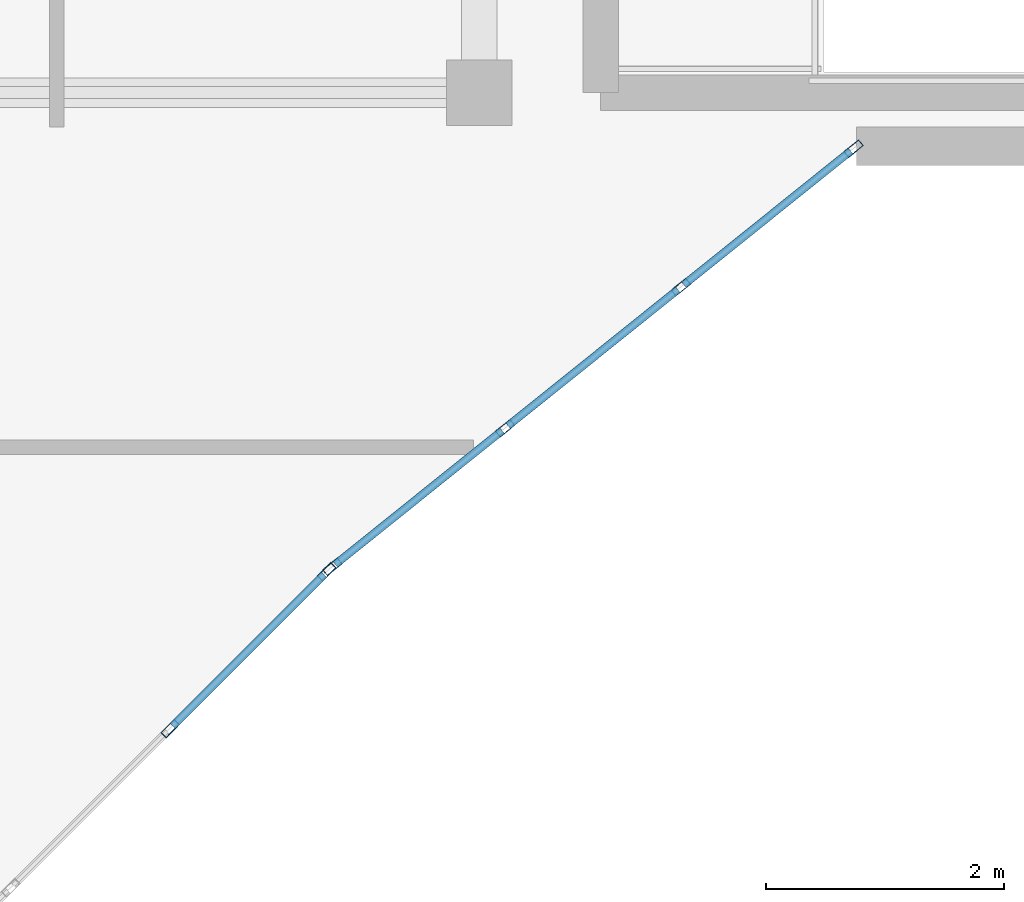
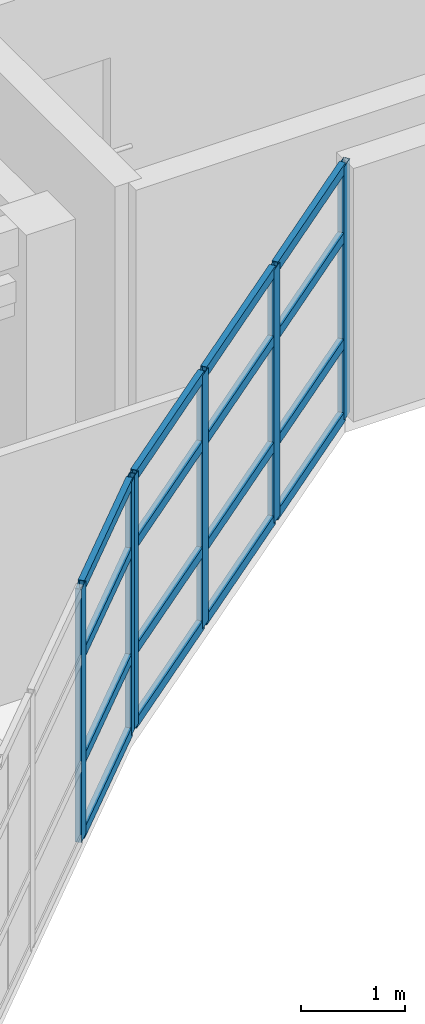
# One storey, part 6 of 49: 22 members, 2 elements without a shape of their own.
"""IFC4 building model written with IfcOpenShell, lengths in metres."""

from ifc_helpers import new_model, si_unit, direction, frame, origin, origin_2d, place, context, subcontext, project, spatial, hollow_rectangle, extrude, material, layer, layer_set, material_profile, profile_set, type_object, element, aggregate, save


model = new_model("IFC4")

# Units and contexts
model_context = context("Model", 3, precision=1e-05, world=origin(), true_north=direction((0.0, 1.0)))
body_context = subcontext(model_context, "Body", "Model", "MODEL_VIEW")
ifc_project = project(units=[si_unit("LENGTHUNIT", "METRE"), si_unit("AREAUNIT", "SQUARE_METRE"), si_unit("VOLUMEUNIT", "CUBIC_METRE"), si_unit("PLANEANGLEUNIT", "RADIAN"), si_unit("MASSUNIT", "GRAM", prefix="KILO")], contexts=[model_context])

# Site, building, storey
site_placement = place(None, origin())
site = spatial("IfcSite", under=ifc_project, at=site_placement, CompositionType="ELEMENT")
building_placement = place(site_placement, origin())
building = spatial("IfcBuilding", under=site, at=building_placement, Name="Keldmere Railside Commons", CompositionType="ELEMENT")
storey_placement = place(building_placement, frame((0.0, 0.0, 29.760009765625)))
storey = spatial("IfcBuildingStorey", under=building, at=storey_placement, Name="L09", CompositionType="ELEMENT", Elevation=29.760009765625)

# Curtain wall, members
ifc_material = material(Name="Thermally Broken Aluminium", Category="aluminium")
ifc_layer_1 = layer(ifc_material, 0.159912109375, Name="Court Chord Wintergarden CW 5400x2850")
ifc_layer_set_1 = layer_set([ifc_layer_1], Name="Thermally Broken Aluminium")
curtain_wall_type_1 = type_object("IfcCurtainWallType", Name="Court Chord Wintergarden CW 5400x2850", PredefinedType="NOTDEFINED", material=ifc_layer_set_1)
curtain_wall_1_placement = place(storey_placement, origin())
curtain_wall_1 = element("IfcCurtainWall", 1, at=curtain_wall_1_placement, inside=storey, type_object=curtain_wall_type_1, Name="CW-13 CW-L09-080", PredefinedType="NOTDEFINED")
ifc_material_profile_1 = material_profile(ifc_material, hollow_rectangle(XDim=0.06494140625, YDim=0.159912109375, WallThickness=0.00390625, at=origin_2d()), Name="ALU-MULL-65x160")
ifc_profile_set_1 = profile_set([ifc_material_profile_1], Name="Thermally Broken Aluminium")
member_type_1 = type_object("IfcMemberType", Name="Unitised Curtain Wall Mullion 65x160", PredefinedType="MULLION", material=ifc_profile_set_1)
member_1_placement = place(storey_placement, frame((71.547119140625, 96.423095703125, 0.0), z_axis=(0.0, 0.0, 1.0), x_axis=(0.707106781187, -0.707106781187, 0.0)))
member_1 = element("IfcMember", 2, at=member_1_placement, type_object=member_type_1, Name="CW-13 mullion 1", PredefinedType="MULLION", context=body_context, shape_type="SweptSolid", body=[
    extrude(hollow_rectangle(XDim=0.06494140625, YDim=0.159912109375, WallThickness=0.00390625, at=origin_2d()), origin(), (0.0, 0.0, 1.0), 2.97998046875),
])
member_2_placement = place(storey_placement, frame((70.2314453125, 95.107421875, 0.0), z_axis=(0.0, 0.0, 1.0), x_axis=(0.707106781187, -0.707106781187, 0.0)))
member_2 = element("IfcMember", 3, at=member_2_placement, type_object=member_type_1, Name="CW-13 mullion 2", PredefinedType="MULLION", context=body_context, shape_type="SweptSolid", body=[
    extrude(hollow_rectangle(XDim=0.06494140625, YDim=0.159912109375, WallThickness=0.00390625, at=origin_2d()), origin(), (0.0, 0.0, 1.0), 2.97998046875),
])

ifc_layer_2 = layer(ifc_material, 0.159912109375, Name="Court Chord Wintergarden CW 4800x2850")
ifc_layer_set_2 = layer_set([ifc_layer_2], Name="Thermally Broken Aluminium")
curtain_wall_type_2 = type_object("IfcCurtainWallType", Name="Court Chord Wintergarden CW 4800x2850", PredefinedType="NOTDEFINED", material=ifc_layer_set_2)
curtain_wall_2_placement = place(storey_placement, origin())
curtain_wall_2 = element("IfcCurtainWall", 4, at=curtain_wall_2_placement, inside=storey, type_object=curtain_wall_type_2, Name="CW-12 CW-L09-081", PredefinedType="NOTDEFINED")
member_3_placement = place(storey_placement, frame((75.974609375, 99.979736328125, 0.0), z_axis=(0.0, 0.0, 1.0), x_axis=(0.625768080915, -0.780009172323, 0.0)))
member_3 = element("IfcMember", 5, at=member_3_placement, type_object=member_type_1, Name="CW-12 mullion 1", PredefinedType="MULLION", context=body_context, shape_type="SweptSolid", body=[
    extrude(hollow_rectangle(XDim=0.06494140625, YDim=0.159912109375, WallThickness=0.00390625, at=origin_2d()), origin(), (0.0, 0.0, 1.0), 2.97998046875),
])
member_4_placement = place(storey_placement, frame((74.5234375, 98.8154296875, 0.0), z_axis=(0.0, 0.0, 1.0), x_axis=(0.625768080915, -0.780009172323, 0.0)))
member_4 = element("IfcMember", 6, at=member_4_placement, type_object=member_type_1, Name="CW-12 mullion 2", PredefinedType="MULLION", context=body_context, shape_type="SweptSolid", body=[
    extrude(hollow_rectangle(XDim=0.06494140625, YDim=0.159912109375, WallThickness=0.00390625, at=origin_2d()), origin(), (0.0, 0.0, 1.0), 2.97998046875),
])
member_5_placement = place(storey_placement, frame((73.046630859375, 97.630615234375, 0.0), z_axis=(0.0, 0.0, 1.0), x_axis=(0.625768080915, -0.780009172323, 0.0)))
member_5 = element("IfcMember", 7, at=member_5_placement, type_object=member_type_1, Name="CW-12 mullion 3", PredefinedType="MULLION", context=body_context, shape_type="SweptSolid", body=[
    extrude(hollow_rectangle(XDim=0.06494140625, YDim=0.159912109375, WallThickness=0.00390625, at=origin_2d()), origin(), (0.0, 0.0, 1.0), 2.97998046875),
])
member_6_placement = place(storey_placement, frame((71.595458984375, 96.46630859375, 0.0), z_axis=(0.0, 0.0, 1.0), x_axis=(0.625768080915, -0.780009172323, 0.0)))
member_6 = element("IfcMember", 8, at=member_6_placement, type_object=member_type_1, Name="CW-12 mullion 4", PredefinedType="MULLION", context=body_context, shape_type="SweptSolid", body=[
    extrude(hollow_rectangle(XDim=0.06494140625, YDim=0.159912109375, WallThickness=0.00390625, at=origin_2d()), origin(), (0.0, 0.0, 1.0), 2.97998046875),
])

# Member
ifc_material_profile_2 = material_profile(ifc_material, hollow_rectangle(XDim=0.06494140625, YDim=0.1201171875, WallThickness=0.00390625, at=origin_2d()), Name="ALU-TRAN-65x120")
ifc_profile_set_2 = profile_set([ifc_material_profile_2], Name="Thermally Broken Aluminium")
member_type_2 = type_object("IfcMemberType", Name="Unitised Curtain Wall Transom 65x120", PredefinedType="USERDEFINED", material=ifc_profile_set_2)
member_7_placement = place(storey_placement, frame((71.52392578125, 96.400146484375, 0.032470703125), z_axis=(-0.707038793419, -0.707174762418, 0.0), x_axis=(0.707174762418, -0.707038793419, 0.0)))
member_7 = element("IfcMember", 9, at=member_7_placement, type_object=member_type_2, Name="CW-13 transom 1.1", ObjectType="TRANSOM", PredefinedType="USERDEFINED", context=body_context, shape_type="SweptSolid", body=[
    extrude(hollow_rectangle(XDim=0.06494140625, YDim=0.1201171875, WallThickness=0.00390625, at=origin_2d()), origin(), (0.0, 0.0, 1.0), 1.795654296875),
])

member_8_placement = place(storey_placement, frame((71.52392578125, 96.400146484375, 0.89990234375), z_axis=(-0.707038793419, -0.707174762418, 0.0), x_axis=(0.707174762418, -0.707038793419, 0.0)))
member_8 = element("IfcMember", 10, at=member_8_placement, type_object=member_type_2, Name="CW-13 transom 1.2", ObjectType="TRANSOM", PredefinedType="USERDEFINED", context=body_context, shape_type="SweptSolid", body=[
    extrude(hollow_rectangle(XDim=0.06494140625, YDim=0.1201171875, WallThickness=0.00390625, at=origin_2d()), origin(), (0.0, 0.0, 1.0), 1.795654296875),
])

member_9_placement = place(storey_placement, frame((71.52392578125, 96.400146484375, 2.14990234375), z_axis=(-0.707038793419, -0.707174762418, 0.0), x_axis=(0.707174762418, -0.707038793419, 0.0)))
member_9 = element("IfcMember", 11, at=member_9_placement, type_object=member_type_2, Name="CW-13 transom 1.3", ObjectType="TRANSOM", PredefinedType="USERDEFINED", context=body_context, shape_type="SweptSolid", body=[
    extrude(hollow_rectangle(XDim=0.06494140625, YDim=0.1201171875, WallThickness=0.00390625, at=origin_2d()), origin(), (0.0, 0.0, 1.0), 1.795654296875),
])

member_10_placement = place(storey_placement, frame((71.52392578125, 96.400146484375, 2.947509765625), z_axis=(-0.707038793419, -0.707174762418, 0.0), x_axis=(0.707174762418, -0.707038793419, 0.0)))
member_10 = element("IfcMember", 12, at=member_10_placement, type_object=member_type_2, Name="CW-13 transom 1.4", ObjectType="TRANSOM", PredefinedType="USERDEFINED", context=body_context, shape_type="SweptSolid", body=[
    extrude(hollow_rectangle(XDim=0.06494140625, YDim=0.1201171875, WallThickness=0.00390625, at=origin_2d()), origin(), (0.0, 0.0, 1.0), 1.795654296875),
])

aggregate(curtain_wall_1, [member_1, member_2, member_7, member_8, member_9, member_10])

member_11_placement = place(storey_placement, frame((75.94921875, 99.959228515625, 0.032470703125), z_axis=(-0.780045694992, -0.625722553313, 0.0), x_axis=(0.625722553313, -0.780045694992, 0.0)))
member_11 = element("IfcMember", 13, at=member_11_placement, type_object=member_type_2, Name="CW-12 transom 1.1", ObjectType="TRANSOM", PredefinedType="USERDEFINED", context=body_context, shape_type="SweptSolid", body=[
    extrude(hollow_rectangle(XDim=0.06494140625, YDim=0.1201171875, WallThickness=0.00390625, at=origin_2d()), origin(), (0.0, 0.0, 1.0), 1.795654296875),
])

member_12_placement = place(storey_placement, frame((75.94921875, 99.959228515625, 0.89990234375), z_axis=(-0.780045694992, -0.625722553313, 0.0), x_axis=(0.625722553313, -0.780045694992, 0.0)))
member_12 = element("IfcMember", 14, at=member_12_placement, type_object=member_type_2, Name="CW-12 transom 1.2", ObjectType="TRANSOM", PredefinedType="USERDEFINED", context=body_context, shape_type="SweptSolid", body=[
    extrude(hollow_rectangle(XDim=0.06494140625, YDim=0.1201171875, WallThickness=0.00390625, at=origin_2d()), origin(), (0.0, 0.0, 1.0), 1.795654296875),
])

member_13_placement = place(storey_placement, frame((75.94921875, 99.959228515625, 2.14990234375), z_axis=(-0.780045694992, -0.625722553313, 0.0), x_axis=(0.625722553313, -0.780045694992, 0.0)))
member_13 = element("IfcMember", 15, at=member_13_placement, type_object=member_type_2, Name="CW-12 transom 1.3", ObjectType="TRANSOM", PredefinedType="USERDEFINED", context=body_context, shape_type="SweptSolid", body=[
    extrude(hollow_rectangle(XDim=0.06494140625, YDim=0.1201171875, WallThickness=0.00390625, at=origin_2d()), origin(), (0.0, 0.0, 1.0), 1.795654296875),
])

member_14_placement = place(storey_placement, frame((75.94921875, 99.959228515625, 2.947509765625), z_axis=(-0.780045694992, -0.625722553313, 0.0), x_axis=(0.625722553313, -0.780045694992, 0.0)))
member_14 = element("IfcMember", 16, at=member_14_placement, type_object=member_type_2, Name="CW-12 transom 1.4", ObjectType="TRANSOM", PredefinedType="USERDEFINED", context=body_context, shape_type="SweptSolid", body=[
    extrude(hollow_rectangle(XDim=0.06494140625, YDim=0.1201171875, WallThickness=0.00390625, at=origin_2d()), origin(), (0.0, 0.0, 1.0), 1.795654296875),
])

member_15_placement = place(storey_placement, frame((74.498046875, 98.794921875, 0.032470703125), z_axis=(-0.78007338409, -0.625688033635, 0.0), x_axis=(0.625688033635, -0.78007338409, 0.0)))
member_15 = element("IfcMember", 17, at=member_15_placement, type_object=member_type_2, Name="CW-12 transom 2.1", ObjectType="TRANSOM", PredefinedType="USERDEFINED", context=body_context, shape_type="SweptSolid", body=[
    extrude(hollow_rectangle(XDim=0.06494140625, YDim=0.1201171875, WallThickness=0.00390625, at=origin_2d()), origin(), (0.0, 0.0, 1.0), 1.828125),
])

member_16_placement = place(storey_placement, frame((74.498046875, 98.794921875, 0.89990234375), z_axis=(-0.78007338409, -0.625688033635, 0.0), x_axis=(0.625688033635, -0.78007338409, 0.0)))
member_16 = element("IfcMember", 18, at=member_16_placement, type_object=member_type_2, Name="CW-12 transom 2.2", ObjectType="TRANSOM", PredefinedType="USERDEFINED", context=body_context, shape_type="SweptSolid", body=[
    extrude(hollow_rectangle(XDim=0.06494140625, YDim=0.1201171875, WallThickness=0.00390625, at=origin_2d()), origin(), (0.0, 0.0, 1.0), 1.828125),
])

member_17_placement = place(storey_placement, frame((74.498046875, 98.794921875, 2.14990234375), z_axis=(-0.78007338409, -0.625688033635, 0.0), x_axis=(0.625688033635, -0.78007338409, 0.0)))
member_17 = element("IfcMember", 19, at=member_17_placement, type_object=member_type_2, Name="CW-12 transom 2.3", ObjectType="TRANSOM", PredefinedType="USERDEFINED", context=body_context, shape_type="SweptSolid", body=[
    extrude(hollow_rectangle(XDim=0.06494140625, YDim=0.1201171875, WallThickness=0.00390625, at=origin_2d()), origin(), (0.0, 0.0, 1.0), 1.828125),
])

member_18_placement = place(storey_placement, frame((74.498046875, 98.794921875, 2.947509765625), z_axis=(-0.78007338409, -0.625688033635, 0.0), x_axis=(0.625688033635, -0.78007338409, 0.0)))
member_18 = element("IfcMember", 20, at=member_18_placement, type_object=member_type_2, Name="CW-12 transom 2.4", ObjectType="TRANSOM", PredefinedType="USERDEFINED", context=body_context, shape_type="SweptSolid", body=[
    extrude(hollow_rectangle(XDim=0.06494140625, YDim=0.1201171875, WallThickness=0.00390625, at=origin_2d()), origin(), (0.0, 0.0, 1.0), 1.828125),
])

member_19_placement = place(storey_placement, frame((73.021240234375, 97.6103515625, 0.032470703125), z_axis=(-0.779979331565, -0.625805275091, 0.0), x_axis=(0.625805275091, -0.779979331565, 0.0)))
member_19 = element("IfcMember", 21, at=member_19_placement, type_object=member_type_2, Name="CW-12 transom 3.1", ObjectType="TRANSOM", PredefinedType="USERDEFINED", context=body_context, shape_type="SweptSolid", body=[
    extrude(hollow_rectangle(XDim=0.06494140625, YDim=0.1201171875, WallThickness=0.00390625, at=origin_2d()), origin(), (0.0, 0.0, 1.0), 1.795654296875),
])

member_20_placement = place(storey_placement, frame((73.021240234375, 97.6103515625, 0.89990234375), z_axis=(-0.779979331565, -0.625805275091, 0.0), x_axis=(0.625805275091, -0.779979331565, 0.0)))
member_20 = element("IfcMember", 22, at=member_20_placement, type_object=member_type_2, Name="CW-12 transom 3.2", ObjectType="TRANSOM", PredefinedType="USERDEFINED", context=body_context, shape_type="SweptSolid", body=[
    extrude(hollow_rectangle(XDim=0.06494140625, YDim=0.1201171875, WallThickness=0.00390625, at=origin_2d()), origin(), (0.0, 0.0, 1.0), 1.795654296875),
])

member_21_placement = place(storey_placement, frame((73.021240234375, 97.6103515625, 2.14990234375), z_axis=(-0.779979331565, -0.625805275091, 0.0), x_axis=(0.625805275091, -0.779979331565, 0.0)))
member_21 = element("IfcMember", 23, at=member_21_placement, type_object=member_type_2, Name="CW-12 transom 3.3", ObjectType="TRANSOM", PredefinedType="USERDEFINED", context=body_context, shape_type="SweptSolid", body=[
    extrude(hollow_rectangle(XDim=0.06494140625, YDim=0.1201171875, WallThickness=0.00390625, at=origin_2d()), origin(), (0.0, 0.0, 1.0), 1.795654296875),
])

member_22_placement = place(storey_placement, frame((73.021240234375, 97.6103515625, 2.947509765625), z_axis=(-0.779979331565, -0.625805275091, 0.0), x_axis=(0.625805275091, -0.779979331565, 0.0)))
member_22 = element("IfcMember", 24, at=member_22_placement, type_object=member_type_2, Name="CW-12 transom 3.4", ObjectType="TRANSOM", PredefinedType="USERDEFINED", context=body_context, shape_type="SweptSolid", body=[
    extrude(hollow_rectangle(XDim=0.06494140625, YDim=0.1201171875, WallThickness=0.00390625, at=origin_2d()), origin(), (0.0, 0.0, 1.0), 1.795654296875),
])

aggregate(curtain_wall_2, [member_3, member_4, member_5, member_6, member_11, member_12, member_13, member_14, member_15, member_16, member_17, member_18, member_19, member_20, member_21, member_22])

save(model, "model.ifc")
